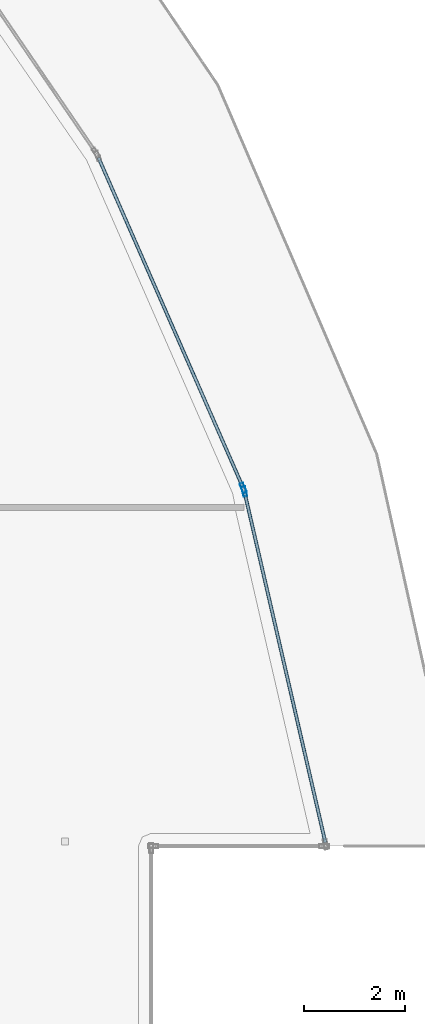
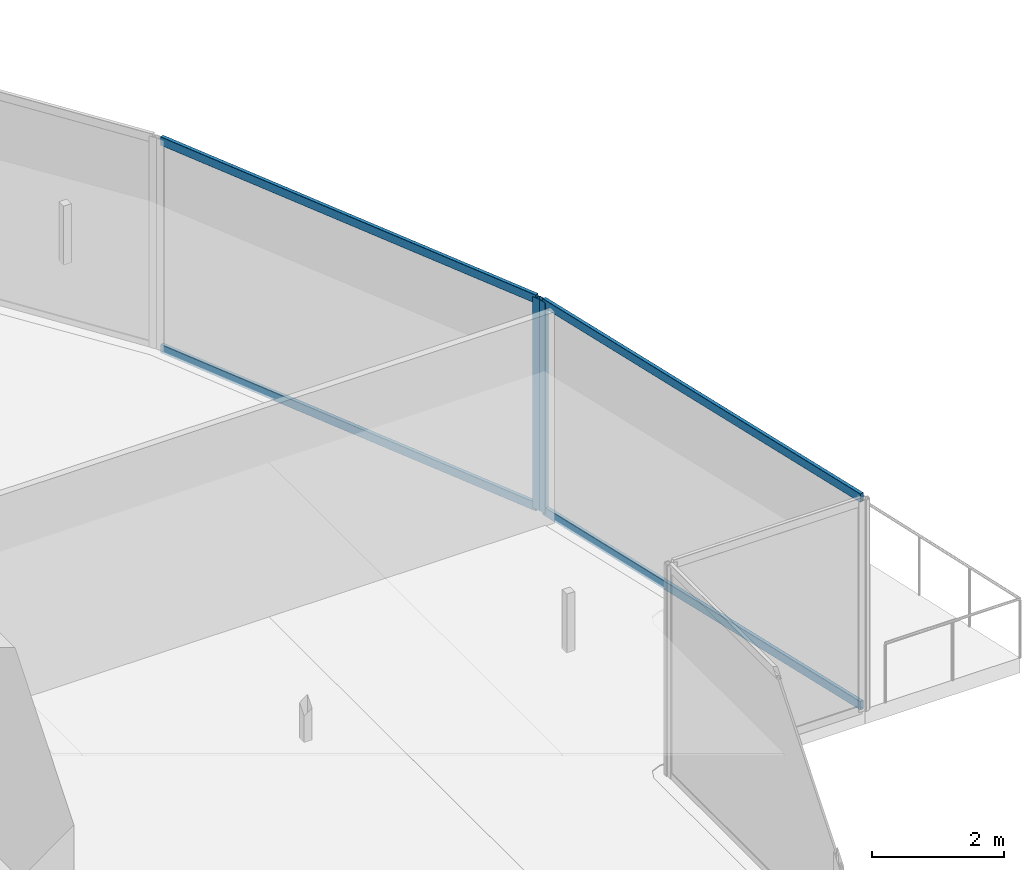
# One storey, part 26 of 44: 6 members, 2 elements without a shape of their own.
"""IFC4 building model written with IfcOpenShell, lengths in metres."""

from ifc_helpers import new_model, si_unit, direction, frame, origin, origin_2d, place, context, subcontext, project, spatial, hollow_rectangle, extrude, material, layer, layer_set, material_profile, profile_set, type_object, element, aggregate, save


model = new_model("IFC4")

# Units and contexts
model_context = context("Model", 3, precision=1e-05, world=origin(), true_north=direction((0.0, 1.0)))
body_context = subcontext(model_context, "Body", "Model", "MODEL_VIEW")
ifc_project = project(units=[si_unit("LENGTHUNIT", "METRE"), si_unit("AREAUNIT", "SQUARE_METRE"), si_unit("VOLUMEUNIT", "CUBIC_METRE"), si_unit("PLANEANGLEUNIT", "RADIAN"), si_unit("MASSUNIT", "GRAM", prefix="KILO")], contexts=[model_context])

# Site, building, storey
site_placement = place(None, origin())
site = spatial("IfcSite", under=ifc_project, at=site_placement, CompositionType="ELEMENT")
building_placement = place(site_placement, origin())
building = spatial("IfcBuilding", under=site, at=building_placement, Name="Qorvath Tower", CompositionType="ELEMENT")
storey_placement = place(building_placement, frame((0.0, 0.0, 78.60009765625)))
storey = spatial("IfcBuildingStorey", under=building, at=storey_placement, Name="L17", CompositionType="ELEMENT", Elevation=78.60009765625)

# Curtain wall, member
ifc_material_1 = material(Name="Anodised aluminium and triple low-E glass", Category="aluminium")
ifc_layer = layer(ifc_material_1, 0.179931640625)
ifc_layer_set = layer_set([ifc_layer], Name="CW-SYS-5")
curtain_wall_type = type_object("IfcCurtainWallType", Name="CW-SYS-5", PredefinedType="NOTDEFINED", material=ifc_layer_set)
curtain_wall_1_placement = place(storey_placement, origin())
curtain_wall_1 = element("IfcCurtainWall", 1, at=curtain_wall_1_placement, inside=storey, type_object=curtain_wall_type, Name="Curtain Wall CW-5 CW-T-L17-15.1", PredefinedType="NOTDEFINED")
ifc_material_2 = material(Name="Anodised aluminium 6063-T6", Category="aluminium")
ifc_material_profile_1 = material_profile(ifc_material_2, hollow_rectangle(XDim=0.074951171875, YDim=0.199951171875, WallThickness=0.00390625, InnerFilletRadius=0.00390625, OuterFilletRadius=0.008056640625, at=origin_2d()), Name="CWM 200x75")
ifc_profile_set_1 = profile_set([ifc_material_profile_1], Name="Anodised aluminium 6063-T6")
member_type_1 = type_object("IfcMemberType", Name="CWM-200", PredefinedType="MULLION", material=ifc_profile_set_1)
member_1_placement = place(storey_placement, frame((4.533935546875, 12.194580078125, 0.0), z_axis=(0.0, 0.0, 1.0), x_axis=(-0.97438839911, -0.224871624887, 0.0)))
member_1 = element("IfcMember", 2, at=member_1_placement, type_object=member_type_1, Name="CW-5 mullion 2", PredefinedType="MULLION", context=body_context, shape_type="SweptSolid", body=[
    extrude(hollow_rectangle(XDim=0.074951171875, YDim=0.199951171875, WallThickness=0.00390625, InnerFilletRadius=0.00390625, OuterFilletRadius=0.008056640625, at=origin_2d()), origin(), (0.0, 0.0, 1.0), 3.919921875),
])

curtain_wall_2_placement = place(storey_placement, origin())
curtain_wall_2 = element("IfcCurtainWall", 3, at=curtain_wall_2_placement, inside=storey, type_object=curtain_wall_type, Name="Curtain Wall CW-5 CW-T-L17-16.1", PredefinedType="NOTDEFINED")
member_2_placement = place(storey_placement, frame((4.510498046875, 12.265380859375, 0.0), z_axis=(0.0, 0.0, 1.0), x_axis=(-0.915913444211, -0.401375837231, 0.0)))
member_2 = element("IfcMember", 4, at=member_2_placement, type_object=member_type_1, Name="CW-5 mullion 1", PredefinedType="MULLION", context=body_context, shape_type="SweptSolid", body=[
    extrude(hollow_rectangle(XDim=0.074951171875, YDim=0.199951171875, WallThickness=0.00390625, InnerFilletRadius=0.00390625, OuterFilletRadius=0.008056640625, at=origin_2d()), origin(), (0.0, 0.0, 1.0), 3.919921875),
])

# Member
ifc_material_3 = material(Name="Anodised aluminium 6063-T6", Category="aluminium")
ifc_material_profile_2 = material_profile(ifc_material_3, hollow_rectangle(XDim=0.06494140625, YDim=0.159912109375, WallThickness=0.00341796875, InnerFilletRadius=0.00341796875, OuterFilletRadius=0.007080078125, at=origin_2d()), Name="CWT 160x65")
ifc_profile_set_2 = profile_set([ifc_material_profile_2], Name="Anodised aluminium 6063-T6")
member_type_2 = type_object("IfcMemberType", Name="CWT-160", PredefinedType="USERDEFINED", material=ifc_profile_set_2)
member_3_placement = place(storey_placement, frame((6.135009765625, 5.257080078125, 0.032470703125), z_axis=(-0.224862024329, 0.9743906147, 0.0), x_axis=(-0.9743906147, -0.224862024329, 0.0)))
member_3 = element("IfcMember", 5, at=member_3_placement, type_object=member_type_2, Name="CW-5 transom 1.1", ObjectType="TRANSOM", PredefinedType="USERDEFINED", context=body_context, shape_type="SweptSolid", body=[
    extrude(hollow_rectangle(XDim=0.06494140625, YDim=0.159912109375, WallThickness=0.00341796875, InnerFilletRadius=0.00341796875, OuterFilletRadius=0.007080078125, at=origin_2d()), origin(), (0.0, 0.0, 1.0), 7.082275390625),
])

member_4_placement = place(storey_placement, frame((6.135009765625, 5.257080078125, 3.887451171875), z_axis=(-0.224862024329, 0.9743906147, 0.0), x_axis=(-0.9743906147, -0.224862024329, 0.0)))
member_4 = element("IfcMember", 6, at=member_4_placement, type_object=member_type_2, Name="CW-5 transom 1.2", ObjectType="TRANSOM", PredefinedType="USERDEFINED", context=body_context, shape_type="SweptSolid", body=[
    extrude(hollow_rectangle(XDim=0.06494140625, YDim=0.159912109375, WallThickness=0.00341796875, InnerFilletRadius=0.00341796875, OuterFilletRadius=0.007080078125, at=origin_2d()), origin(), (0.0, 0.0, 1.0), 7.082275390625),
])

aggregate(curtain_wall_1, [member_1, member_3, member_4])

member_5_placement = place(storey_placement, frame((4.49560546875, 12.2998046875, 0.032470703125), z_axis=(-0.401399249967, 0.915903183817, 0.0), x_axis=(-0.915903183817, -0.401399249967, 0.0)))
member_5 = element("IfcMember", 7, at=member_5_placement, type_object=member_type_2, Name="CW-5 transom 1.1", ObjectType="TRANSOM", PredefinedType="USERDEFINED", context=body_context, shape_type="SweptSolid", body=[
    extrude(hollow_rectangle(XDim=0.06494140625, YDim=0.159912109375, WallThickness=0.00341796875, InnerFilletRadius=0.00341796875, OuterFilletRadius=0.007080078125, at=origin_2d()), origin(), (0.0, 0.0, 1.0), 7.082275390625),
])

member_6_placement = place(storey_placement, frame((4.49560546875, 12.2998046875, 3.887451171875), z_axis=(-0.401399249967, 0.915903183817, 0.0), x_axis=(-0.915903183817, -0.401399249967, 0.0)))
member_6 = element("IfcMember", 8, at=member_6_placement, type_object=member_type_2, Name="CW-5 transom 1.2", ObjectType="TRANSOM", PredefinedType="USERDEFINED", context=body_context, shape_type="SweptSolid", body=[
    extrude(hollow_rectangle(XDim=0.06494140625, YDim=0.159912109375, WallThickness=0.00341796875, InnerFilletRadius=0.00341796875, OuterFilletRadius=0.007080078125, at=origin_2d()), origin(), (0.0, 0.0, 1.0), 7.082275390625),
])

aggregate(curtain_wall_2, [member_2, member_5, member_6])

save(model, "model.ifc")
